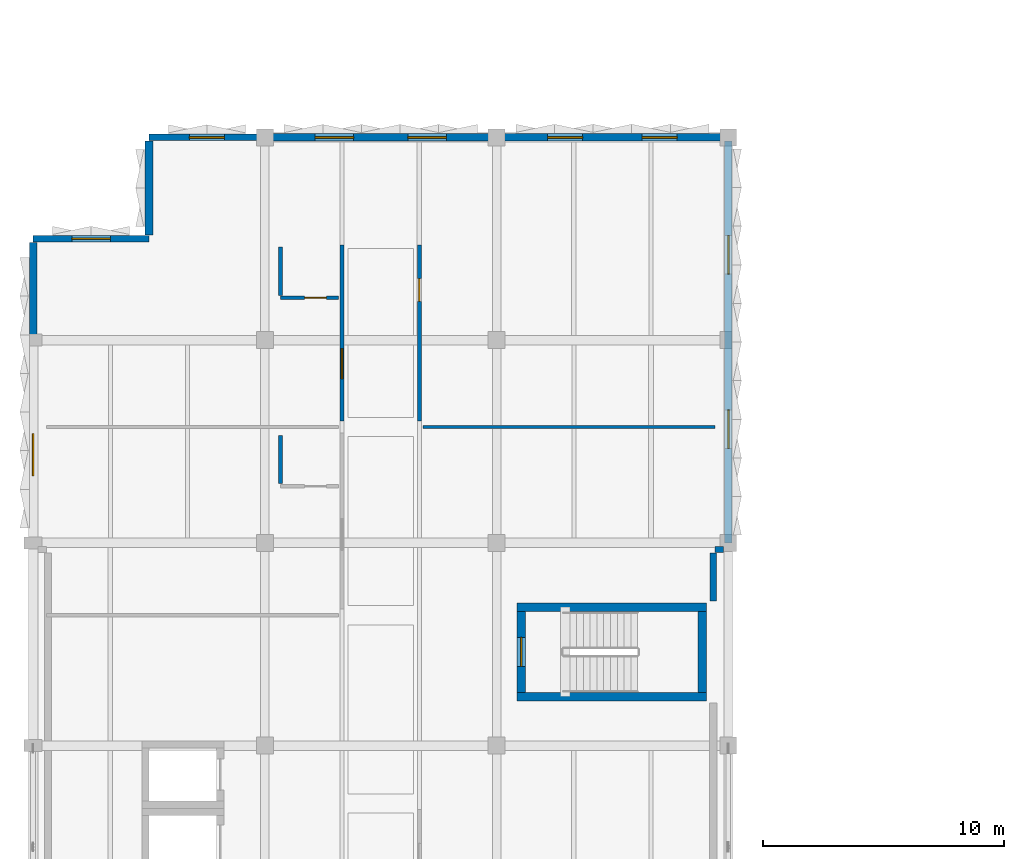
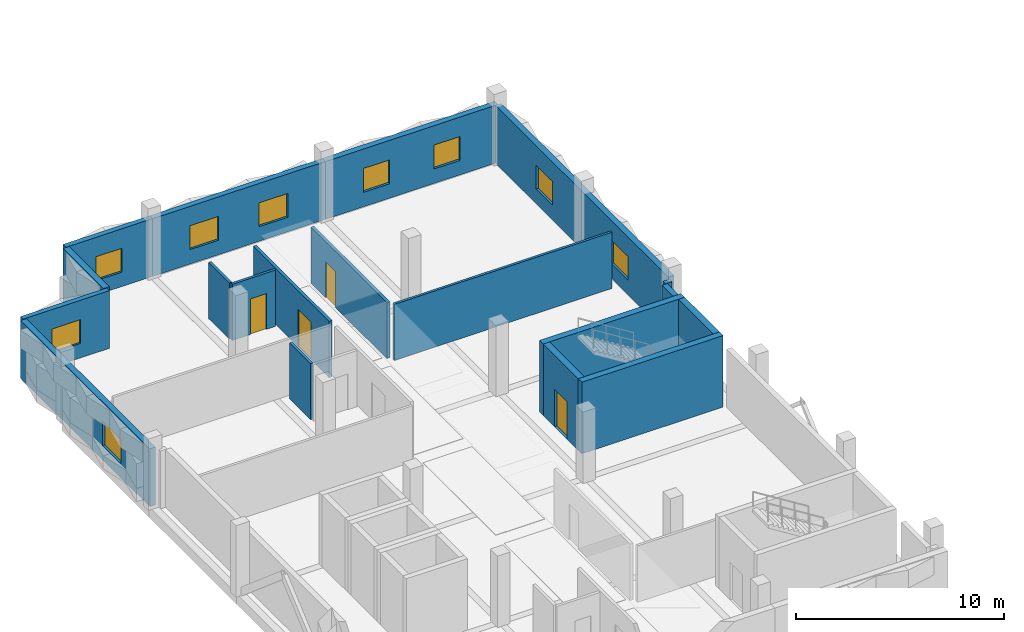
# One storey, part 13 of 24: 19 walls, 9 windows, 4 doors, 13 openings.
"""IFC4 building model written with IfcOpenShell, lengths in metres."""

import ifcopenshell
import ifcopenshell.guid

model = None  # the IFC model being written
_history = None  # IfcOwnerHistory: only IFC2X3 demands one
_inside = {}  # id of a spatial element -> (the spatial element, [elements in it])
_under = {}  # id of a project, library or spatial element -> (it, [spatial elements below it])
_declared = {}  # id of a project -> (the project, [libraries it declares])
_typed = {}  # id of a type object -> (the type object, [elements of that type])
_made_of = {}  # id of a material, layer set ... -> (it, [elements and type objects made of it])


def new_model(schema):
    """Start an empty IFC model of exactly this schema.

    Asked for "IFC4X3", IfcOpenShell would pick the latest addendum, in which some entities
    have other attributes; the version numbers below select the first issue.
    IFC2X3 requires an IfcOwnerHistory on every rooted entity: one is made here for all.
    """
    global model, _history
    if schema == "IFC4X3":
        model = ifcopenshell.file(schema_version=(4, 3, 0, 0))
    else:
        model = ifcopenshell.file(schema=schema)
    _inside.clear()
    _under.clear()
    _declared.clear()
    _typed.clear()
    _made_of.clear()
    _history = None
    if model.schema == "IFC2X3":
        org = make("IfcOrganization", Name="unknown")
        user = make(
            "IfcPersonAndOrganization",
            ThePerson=make("IfcPerson", FamilyName="unknown"),
            TheOrganization=org,
        )
        app = make(
            "IfcApplication",
            ApplicationDeveloper=org,
            Version="unknown",
            ApplicationFullName="unknown",
            ApplicationIdentifier="unknown",
        )
        _history = make(
            "IfcOwnerHistory",
            OwningUser=user,
            OwningApplication=app,
            ChangeAction="ADDED",
            CreationDate=0,
        )
    return model


def make(cls, **values):
    """One entity of the class cls with the attributes given. An attribute that is None is left unset."""
    return model.create_entity(
        cls, **{name: value for name, value in values.items() if value is not None}
    )


def rooted(cls, **values):
    """An entity with a GlobalId (a new one), such as an element, a storey or a relation."""
    return make(cls, GlobalId=ifcopenshell.guid.new(), OwnerHistory=_history, **values)


def si_unit(unit_type, name, prefix=None):
    """IfcSIUnit, for example si_unit("LENGTHUNIT", "METRE", prefix="MILLI")."""
    return make("IfcSIUnit", UnitType=unit_type, Prefix=prefix, Name=name)


def assignment(units):
    """IfcUnitAssignment: the units of a project."""
    return None if units is None else make("IfcUnitAssignment", Units=units)


def point(xyz):
    """IfcCartesianPoint."""
    return None if xyz is None else make("IfcCartesianPoint", Coordinates=xyz)


def direction(xyz):
    """IfcDirection."""
    return None if xyz is None else make("IfcDirection", DirectionRatios=xyz)


def frame(location, z_axis=None, x_axis=None):
    """IfcAxis2Placement3D, a coordinate frame: its origin and axes. An axis left out is left unset."""
    return make(
        "IfcAxis2Placement3D",
        Location=point(location),
        Axis=direction(z_axis),
        RefDirection=direction(x_axis),
    )


def frame_2d(location, x_axis=None):
    """IfcAxis2Placement2D, a coordinate frame in the plane: its origin and x axis."""
    return make(
        "IfcAxis2Placement2D", Location=point(location), RefDirection=direction(x_axis)
    )


def origin():
    """The frame at (0, 0, 0) with its axes left unset."""
    return frame((0.0, 0.0, 0.0))


def place(relative_to, where):
    """IfcLocalPlacement: puts the frame where relative to a parent placement (None: the world)."""
    return make(
        "IfcLocalPlacement", PlacementRelTo=relative_to, RelativePlacement=where
    )


def context(
    kind, dimensions, precision=None, world=None, true_north=None, identifier=None
):
    """IfcGeometricRepresentationContext, for example the 3D "Model" context."""
    return make(
        "IfcGeometricRepresentationContext",
        ContextIdentifier=identifier,
        ContextType=kind,
        CoordinateSpaceDimension=dimensions,
        Precision=precision,
        WorldCoordinateSystem=world,
        TrueNorth=true_north,
    )


def subcontext(parent, identifier, kind, view, scale=None):
    """IfcGeometricRepresentationSubContext, for example "Body" below "Model"."""
    return make(
        "IfcGeometricRepresentationSubContext",
        ContextIdentifier=identifier,
        ContextType=kind,
        ParentContext=parent,
        TargetScale=scale,
        TargetView=view,
    )


def project(units=None, contexts=None):
    """IfcProject with its units and contexts."""
    return rooted(
        "IfcProject",
        Name="project",
        RepresentationContexts=contexts,
        UnitsInContext=assignment(units),
    )


def spatial(cls, under=None, at=None, **own):
    """A site, building, storey or space (cls), placed at a placement, below another one or the project."""
    s = rooted(cls, ObjectPlacement=at, **own)
    if under is not None:
        _under.setdefault(under.id(), (under, []))[1].append(s)
    return s


def profile(cls, at=None, kind="AREA", **sizes):
    """A parametric profile (cls). Its sizes go by their IFC names, for example OverallWidth=200.0."""
    return make(cls, ProfileType=kind, Position=at, **sizes)


def rectangle(**sizes):
    """IfcRectangleProfileDef."""
    return profile("IfcRectangleProfileDef", **sizes)


def extrude(swept, where, along, depth):
    """IfcExtrudedAreaSolid: the profile swept, set in the frame where, extruded along a direction by depth."""
    return make(
        "IfcExtrudedAreaSolid",
        SweptArea=swept,
        Position=where,
        ExtrudedDirection=direction(along),
        Depth=depth,
    )


def shape(context_of_items, identifier, shape_type, items):
    """IfcShapeRepresentation: the items that make up one representation, for example the "Body"."""
    return make(
        "IfcShapeRepresentation",
        ContextOfItems=context_of_items,
        RepresentationIdentifier=identifier,
        RepresentationType=shape_type,
        Items=items,
    )


def material(Name=None, Category=None):
    """IfcMaterial."""
    return make("IfcMaterial", Name=Name, Category=Category)


def layer(
    of_material, thickness, ventilated=None, Name=None, Category=None, Priority=None
):
    """IfcMaterialLayer: one layer of a wall or slab, of a material (None: an air gap)."""
    return make(
        "IfcMaterialLayer",
        Material=of_material,
        LayerThickness=thickness,
        IsVentilated=ventilated,
        Name=Name,
        Category=Category,
        Priority=Priority,
    )


def layer_set(layers, Name=None):
    """IfcMaterialLayerSet."""
    return make("IfcMaterialLayerSet", MaterialLayers=layers, LayerSetName=Name)


def made_of(thing, what):
    """Note that an element or type object is made of a material, layer set ...; save() writes the relation."""
    if what is not None:
        _made_of.setdefault(what.id(), (what, []))[1].append(thing)
    return thing


def type_object(cls, material=None, **own):
    """A type object (cls), such as IfcWallType, which elements share."""
    return made_of(rooted(cls, **own), material)


def element(
    cls,
    number,
    at=None,
    inside=None,
    cuts=None,
    type_object=None,
    material=None,
    context=None,
    identifier="Body",
    shape_type=None,
    held_by="IfcProductDefinitionShape",
    body=None,
    shapes=None,
    **own,
):
    """One element of the class cls, such as IfcWall. Its Tag is "e" and its number.

    at: its placement. inside: the storey or other place that contains it. cuts: it is an
    opening in that element (IfcRelVoidsElement). A single representation is given by context,
    identifier, shape_type and body (its items); several are given by shapes. held_by: the class
    of the entity that holds the representations. save() writes the other relations.
    """
    e = rooted(cls, Tag="e%d" % number, ObjectPlacement=at, **own)
    if body is not None:
        shapes = [shape(context, identifier, shape_type, body)]
    if shapes is not None:
        e.Representation = make(held_by, Representations=shapes)
    if inside is not None:
        _inside.setdefault(inside.id(), (inside, []))[1].append(e)
    if cuts is not None:
        rooted(
            "IfcRelVoidsElement", RelatingBuildingElement=cuts, RelatedOpeningElement=e
        )
    if type_object is not None:
        _typed.setdefault(type_object.id(), (type_object, []))[1].append(e)
    return made_of(e, material)


def fill(opening, filler):
    """IfcRelFillsElement: the door or window that sits in an opening."""
    return rooted(
        "IfcRelFillsElement",
        RelatingOpeningElement=opening,
        RelatedBuildingElement=filler,
    )


def aggregate(whole, parts):
    """IfcRelAggregates: a whole, such as a stair, and the parts it consists of."""
    return rooted("IfcRelAggregates", RelatingObject=whole, RelatedObjects=parts)


def save(model, path):
    """Write the relations noted so far, then the file.

    IfcRelAggregates (storeys below a building ...), IfcRelContainedInSpatialStructure (elements
    in a storey), IfcRelDefinesByType, IfcRelAssociatesMaterial and IfcRelDeclares: one each for
    every whole, place, type object, material and project.
    """
    for whole, parts in _under.values():
        aggregate(whole, parts)
    for where, things in _inside.values():
        rooted(
            "IfcRelContainedInSpatialStructure",
            RelatedElements=things,
            RelatingStructure=where,
        )
    for kind, things in _typed.values():
        rooted("IfcRelDefinesByType", RelatedObjects=things, RelatingType=kind)
    for what, things in _made_of.values():
        rooted("IfcRelAssociatesMaterial", RelatedObjects=things, RelatingMaterial=what)
    for by, libraries in _declared.values():
        rooted("IfcRelDeclares", RelatingContext=by, RelatedDefinitions=libraries)
    model.write(path)


model = new_model("IFC4")

# Units and contexts
model_context = context("Model", 3, precision=1e-05, world=origin(), true_north=direction((0.0, 1.0)))
body_context = subcontext(model_context, "Body", "Model", "MODEL_VIEW")
ifc_project = project(units=[si_unit("LENGTHUNIT", "METRE"), si_unit("AREAUNIT", "SQUARE_METRE"), si_unit("VOLUMEUNIT", "CUBIC_METRE"), si_unit("PLANEANGLEUNIT", "RADIAN"), si_unit("MASSUNIT", "GRAM", prefix="KILO")], contexts=[model_context])

# Site, building, storey
site_placement = place(None, origin())
site = spatial("IfcSite", under=ifc_project, at=site_placement, CompositionType="ELEMENT")
building_placement = place(site_placement, origin())
building = spatial("IfcBuilding", under=site, at=building_placement, Name="Oolite Switchyard Hospital", CompositionType="ELEMENT")
storey_placement = place(building_placement, frame((0.0, 0.0, 22.0)))
storey = spatial("IfcBuildingStorey", under=building, at=storey_placement, Name="L05", CompositionType="ELEMENT", Elevation=22.0)

# Wall, opening, window
ifc_material_1 = material(Name="Precast oolitic limestone architectural concrete C40/50", Category="masonry")
ifc_layer_1 = layer(ifc_material_1, 0.260009765625)
ifc_layer_set_1 = layer_set([ifc_layer_1], Name="WAL-EXT-260")
wall_type_1 = type_object("IfcWallType", Name="WAL-EXT-260", PredefinedType="SOLIDWALL", material=ifc_layer_set_1)
wall_1_placement = place(storey_placement, frame((0.0, 79.800048828125, 0.0), z_axis=(0.0, 0.0, 1.0), x_axis=(1.0, 0.0, 0.0)))
wall_1 = element("IfcWall", 1, at=wall_1_placement, inside=storey, type_object=wall_type_1, Name="L05 Exterior Spandrel Wall 310", PredefinedType="SOLIDWALL", context=body_context, shape_type="SweptSolid", body=[
    extrude(rectangle(XDim=4.800048828125, YDim=0.260009765625, at=frame_2d((2.39990234375, 0.0))), origin(), (0.0, 0.0, 1.0), 3.389892578125),
])
opening_1_placement = place(wall_1_placement, frame((1.60009765625, 0.0, 0.85009765625)))
opening_1 = element("IfcOpeningElement", 2, at=opening_1_placement, cuts=wall_1, Name="Opening WN-0190", PredefinedType="OPENING", context=body_context, shape_type="SweptSolid", body=[
    extrude(rectangle(XDim=1.60009765625, YDim=1.39990234375, at=frame_2d((0.800048828125, 0.699951171875))), frame((0.0, 0.14013671875, 0.0), z_axis=(0.0, -1.0, 0.0), x_axis=(1.0, 0.0, 0.0)), (0.0, 0.0, 1.0), 0.280029296875),
])
ifc_material_2 = material(Name="Thermally broken aluminum frame with laminated impact glazing", Category="aluminium")
window_type_1 = type_object("IfcWindowType", Name="WIN-IMP-160X140", PartitioningType="SINGLE_PANEL", PredefinedType="WINDOW", material=ifc_material_2)
window_1_placement = place(opening_1_placement, origin())
window_1 = element("IfcWindow", 3, at=window_1_placement, inside=storey, type_object=window_type_1, Name="L05 Hurricane Impact Window WN-0190", OverallHeight=1.39990234375, OverallWidth=1.60009765625, PartitioningType="SINGLE_PANEL", PredefinedType="WINDOW", context=body_context, shape_type="SweptSolid", body=[
    extrude(rectangle(XDim=1.60009765625, YDim=1.39990234375, at=frame_2d((0.800048828125, 0.699951171875))), frame((0.0, 0.030029296875, 0.0), z_axis=(0.0, -1.0, 0.0), x_axis=(1.0, 0.0, 0.0)), (0.0, 0.0, 1.0), 0.06005859375),
])
fill(opening_1, window_1)

# Wall
wall_2_placement = place(storey_placement, frame((28.60009765625, 66.919921875, 0.0), z_axis=(0.0, 0.0, 1.0), x_axis=(-1.0, 0.0, 0.0)))
element("IfcWall", 4, at=wall_2_placement, inside=storey, type_object=wall_type_1, Name="L05 Brace Alcove Cheek Wall 336", PredefinedType="SOLIDWALL", context=body_context, shape_type="SweptSolid", body=[
    extrude(rectangle(XDim=0.360107421875, YDim=0.260009765625, at=frame_2d((0.18017578125, 0.0))), origin(), (0.0, 0.0, 1.0), 3.389892578125),
])

# Wall, opening, window
ifc_layer_2 = layer(ifc_material_1, 0.280029296875)
ifc_layer_set_2 = layer_set([ifc_layer_2], Name="WAL-EXT-280")
wall_type_2 = type_object("IfcWallType", Name="WAL-EXT-280", PredefinedType="SOLIDWALL", material=ifc_layer_set_2)
wall_3_placement = place(storey_placement, frame((4.800048828125, 84.0, 0.0), z_axis=(0.0, 0.0, 1.0), x_axis=(1.0, 0.0, 0.0)))
wall_3 = element("IfcWall", 5, at=wall_3_placement, inside=storey, type_object=wall_type_2, Name="L05 Exterior Spandrel Wall 311", PredefinedType="SOLIDWALL", context=body_context, shape_type="SweptSolid", body=[
    extrude(rectangle(XDim=4.800048828125, YDim=0.280029296875, at=frame_2d((2.39990234375, 0.0))), origin(), (0.0, 0.0, 1.0), 3.389892578125),
])
opening_2_placement = place(wall_3_placement, frame((1.675048828125, 0.0, 0.85009765625)))
opening_2 = element("IfcOpeningElement", 6, at=opening_2_placement, cuts=wall_3, Name="Opening WN-0191", PredefinedType="OPENING", context=body_context, shape_type="SweptSolid", body=[
    extrude(rectangle(XDim=1.449951171875, YDim=1.39990234375, at=frame_2d((0.72509765625, 0.699951171875))), frame((0.0, 0.14990234375, 0.0), z_axis=(0.0, -1.0, 0.0), x_axis=(1.0, 0.0, 0.0)), (0.0, 0.0, 1.0), 0.300048828125),
])
window_type_2 = type_object("IfcWindowType", Name="WIN-IMP-145X140", PartitioningType="SINGLE_PANEL", PredefinedType="WINDOW", material=ifc_material_2)
window_2_placement = place(opening_2_placement, origin())
window_2 = element("IfcWindow", 7, at=window_2_placement, inside=storey, type_object=window_type_2, Name="L05 Hurricane Impact Window WN-0191", OverallHeight=1.39990234375, OverallWidth=1.449951171875, PartitioningType="SINGLE_PANEL", PredefinedType="WINDOW", context=body_context, shape_type="SweptSolid", body=[
    extrude(rectangle(XDim=1.449951171875, YDim=1.39990234375, at=frame_2d((0.72509765625, 0.699951171875))), frame((0.0, 0.030029296875, 0.0), z_axis=(0.0, -1.0, 0.0), x_axis=(1.0, 0.0, 0.0)), (0.0, 0.0, 1.0), 0.06005859375),
])
fill(opening_2, window_2)

# Wall
wall_4_placement = place(storey_placement, frame((28.179931640625, 66.780029296875, 0.0), z_axis=(0.0, 0.0, 1.0), x_axis=(0.0, -1.0, 0.0)))
element("IfcWall", 8, at=wall_4_placement, inside=storey, type_object=wall_type_2, Name="L05 Exterior Spandrel Wall 339", PredefinedType="SOLIDWALL", context=body_context, shape_type="SweptSolid", body=[
    extrude(rectangle(XDim=1.9951171875, YDim=0.280029296875, at=frame_2d((0.99755859375, 0.0))), origin(), (0.0, 0.0, 1.0), 3.389892578125),
])

# Wall, openings, windows
ifc_layer_3 = layer(ifc_material_1, 0.300048828125)
ifc_layer_set_3 = layer_set([ifc_layer_3], Name="WAL-EXT-300")
wall_type_3 = type_object("IfcWallType", Name="WAL-EXT-300", PredefinedType="SOLIDWALL", material=ifc_layer_set_3)
wall_5_placement = place(storey_placement, frame((9.60009765625, 84.0, 0.0), z_axis=(0.0, 0.0, 1.0), x_axis=(1.0, 0.0, 0.0)))
wall_5 = element("IfcWall", 9, at=wall_5_placement, inside=storey, type_object=wall_type_3, Name="L05 Exterior Spandrel Wall 312", PredefinedType="SOLIDWALL", context=body_context, shape_type="SweptSolid", body=[
    extrude(rectangle(XDim=9.599853515625, YDim=0.300048828125, at=frame_2d((4.7998046875, 0.0))), origin(), (0.0, 0.0, 1.0), 3.389892578125),
])
opening_3_placement = place(wall_5_placement, frame((2.080078125, 0.0, 0.85009765625)))
opening_3 = element("IfcOpeningElement", 10, at=opening_3_placement, cuts=wall_5, Name="Opening WN-0192", PredefinedType="OPENING", context=body_context, shape_type="SweptSolid", body=[
    extrude(rectangle(XDim=1.60009765625, YDim=1.39990234375, at=frame_2d((0.800048828125, 0.699951171875))), frame((0.0, 0.16015625, 0.0), z_axis=(0.0, -1.0, 0.0), x_axis=(1.0, 0.0, 0.0)), (0.0, 0.0, 1.0), 0.320068359375),
])
opening_4_placement = place(wall_5_placement, frame((5.919921875, 0.0, 0.85009765625)))
opening_4 = element("IfcOpeningElement", 11, at=opening_4_placement, cuts=wall_5, Name="Opening WN-0193", PredefinedType="OPENING", context=body_context, shape_type="SweptSolid", body=[
    extrude(rectangle(XDim=1.60009765625, YDim=1.39990234375, at=frame_2d((0.800048828125, 0.699951171875))), frame((0.0, 0.16015625, 0.0), z_axis=(0.0, -1.0, 0.0), x_axis=(1.0, 0.0, 0.0)), (0.0, 0.0, 1.0), 0.320068359375),
])
window_3_placement = place(opening_3_placement, origin())
window_3 = element("IfcWindow", 12, at=window_3_placement, inside=storey, type_object=window_type_1, Name="L05 Hurricane Impact Window WN-0192", OverallHeight=1.39990234375, OverallWidth=1.60009765625, PartitioningType="SINGLE_PANEL", PredefinedType="WINDOW", context=body_context, shape_type="SweptSolid", body=[
    extrude(rectangle(XDim=1.60009765625, YDim=1.39990234375, at=frame_2d((0.800048828125, 0.699951171875))), frame((0.0, 0.030029296875, 0.0), z_axis=(0.0, -1.0, 0.0), x_axis=(1.0, 0.0, 0.0)), (0.0, 0.0, 1.0), 0.06005859375),
])
fill(opening_3, window_3)
window_4_placement = place(opening_4_placement, origin())
window_4 = element("IfcWindow", 13, at=window_4_placement, inside=storey, type_object=window_type_1, Name="L05 Hurricane Impact Window WN-0193", OverallHeight=1.39990234375, OverallWidth=1.60009765625, PartitioningType="SINGLE_PANEL", PredefinedType="WINDOW", context=body_context, shape_type="SweptSolid", body=[
    extrude(rectangle(XDim=1.60009765625, YDim=1.39990234375, at=frame_2d((0.800048828125, 0.699951171875))), frame((0.0, 0.030029296875, 0.0), z_axis=(0.0, -1.0, 0.0), x_axis=(1.0, 0.0, 0.0)), (0.0, 0.0, 1.0), 0.06005859375),
])
fill(opening_4, window_4)

ifc_layer_4 = layer(ifc_material_1, 0.320068359375)
ifc_layer_set_4 = layer_set([ifc_layer_4], Name="WAL-EXT-320")
wall_type_4 = type_object("IfcWallType", Name="WAL-EXT-320", PredefinedType="SOLIDWALL", material=ifc_layer_set_4)
wall_6_placement = place(storey_placement, frame((19.199951171875, 84.0, 0.0), z_axis=(0.0, 0.0, 1.0), x_axis=(1.0, 0.0, 0.0)))
wall_6 = element("IfcWall", 14, at=wall_6_placement, inside=storey, type_object=wall_type_4, Name="L05 Exterior Spandrel Wall 313", PredefinedType="SOLIDWALL", context=body_context, shape_type="SweptSolid", body=[
    extrude(rectangle(XDim=9.60009765625, YDim=0.320068359375, at=frame_2d((4.800048828125, 0.0))), origin(), (0.0, 0.0, 1.0), 3.389892578125),
])
opening_5_placement = place(wall_6_placement, frame((2.118896484375, 0.0, 0.85009765625)))
opening_5 = element("IfcOpeningElement", 15, at=opening_5_placement, cuts=wall_6, Name="Opening WN-0194", PredefinedType="OPENING", context=body_context, shape_type="SweptSolid", body=[
    extrude(rectangle(XDim=1.449951171875, YDim=1.39990234375, at=frame_2d((0.72509765625, 0.699951171875))), frame((0.0, 0.169921875, 0.0), z_axis=(0.0, -1.0, 0.0), x_axis=(1.0, 0.0, 0.0)), (0.0, 0.0, 1.0), 0.340087890625),
])
opening_6_placement = place(wall_6_placement, frame((6.031005859375, 0.0, 0.85009765625)))
opening_6 = element("IfcOpeningElement", 16, at=opening_6_placement, cuts=wall_6, Name="Opening WN-0195", PredefinedType="OPENING", context=body_context, shape_type="SweptSolid", body=[
    extrude(rectangle(XDim=1.449951171875, YDim=1.39990234375, at=frame_2d((0.72509765625, 0.699951171875))), frame((0.0, 0.169921875, 0.0), z_axis=(0.0, -1.0, 0.0), x_axis=(1.0, 0.0, 0.0)), (0.0, 0.0, 1.0), 0.340087890625),
])
window_5_placement = place(opening_5_placement, origin())
window_5 = element("IfcWindow", 17, at=window_5_placement, inside=storey, type_object=window_type_2, Name="L05 Hurricane Impact Window WN-0194", OverallHeight=1.39990234375, OverallWidth=1.449951171875, PartitioningType="SINGLE_PANEL", PredefinedType="WINDOW", context=body_context, shape_type="SweptSolid", body=[
    extrude(rectangle(XDim=1.449951171875, YDim=1.39990234375, at=frame_2d((0.72509765625, 0.699951171875))), frame((0.0, 0.030029296875, 0.0), z_axis=(0.0, -1.0, 0.0), x_axis=(1.0, 0.0, 0.0)), (0.0, 0.0, 1.0), 0.06005859375),
])
fill(opening_5, window_5)
window_6_placement = place(opening_6_placement, origin())
window_6 = element("IfcWindow", 18, at=window_6_placement, inside=storey, type_object=window_type_2, Name="L05 Hurricane Impact Window WN-0195", OverallHeight=1.39990234375, OverallWidth=1.449951171875, PartitioningType="SINGLE_PANEL", PredefinedType="WINDOW", context=body_context, shape_type="SweptSolid", body=[
    extrude(rectangle(XDim=1.449951171875, YDim=1.39990234375, at=frame_2d((0.72509765625, 0.699951171875))), frame((0.0, 0.030029296875, 0.0), z_axis=(0.0, -1.0, 0.0), x_axis=(1.0, 0.0, 0.0)), (0.0, 0.0, 1.0), 0.06005859375),
])
fill(opening_6, window_6)

# Wall, opening, window
wall_7_placement = place(storey_placement, frame((0.0, 67.199951171875, 0.0), z_axis=(0.0, 0.0, 1.0), x_axis=(0.0, 1.0, 0.0)))
wall_7 = element("IfcWall", 19, at=wall_7_placement, inside=storey, type_object=wall_type_4, Name="L05 Exterior Spandrel Wall 334", PredefinedType="SOLIDWALL", context=body_context, shape_type="SweptSolid", body=[
    extrude(rectangle(XDim=12.43994140625, YDim=0.320068359375, at=frame_2d((6.219970703125, 0.0))), origin(), (0.0, 0.0, 1.0), 3.389892578125),
])
opening_7_placement = place(wall_7_placement, frame((2.779052734375, 0.0, 0.85009765625)))
opening_7 = element("IfcOpeningElement", 20, at=opening_7_placement, cuts=wall_7, Name="Opening WN-0214", PredefinedType="OPENING", context=body_context, shape_type="SweptSolid", body=[
    extrude(rectangle(XDim=1.75, YDim=1.39990234375, at=frame_2d((0.875, 0.699951171875))), frame((0.0, 0.169921875, 0.0), z_axis=(0.0, -1.0, 0.0), x_axis=(1.0, 0.0, 0.0)), (0.0, 0.0, 1.0), 0.340087890625),
])
window_type_3 = type_object("IfcWindowType", Name="WIN-IMP-175X140", PartitioningType="SINGLE_PANEL", PredefinedType="WINDOW", material=ifc_material_2)
window_7_placement = place(opening_7_placement, origin())
window_7 = element("IfcWindow", 21, at=window_7_placement, inside=storey, type_object=window_type_3, Name="L05 Hurricane Impact Window WN-0214", OverallHeight=1.39990234375, OverallWidth=1.75, PartitioningType="SINGLE_PANEL", PredefinedType="WINDOW", context=body_context, shape_type="SweptSolid", body=[
    extrude(rectangle(XDim=1.75, YDim=1.39990234375, at=frame_2d((0.875, 0.699951171875))), frame((0.0, 0.030029296875, 0.0), z_axis=(0.0, -1.0, 0.0), x_axis=(1.0, 0.0, 0.0)), (0.0, 0.0, 1.0), 0.06005859375),
])
fill(opening_7, window_7)

# Wall, openings, windows
wall_8_placement = place(storey_placement, frame((28.800048828125, 83.840087890625, 0.0), z_axis=(0.0, 0.0, 1.0), x_axis=(0.0, -1.0, 0.0)))
wall_8 = element("IfcWall", 22, at=wall_8_placement, inside=storey, type_object=wall_type_4, Name="L05 Exterior Spandrel Wall 341", PredefinedType="SOLIDWALL", context=body_context, shape_type="SweptSolid", body=[
    extrude(rectangle(XDim=16.64013671875, YDim=0.320068359375, at=frame_2d((8.320068359375, 0.0))), origin(), (0.0, 0.0, 1.0), 3.389892578125),
])
opening_8_placement = place(wall_8_placement, frame((3.909912109375, 0.0, 0.85009765625)))
opening_8 = element("IfcOpeningElement", 23, at=opening_8_placement, cuts=wall_8, Name="Opening WN-0215", PredefinedType="OPENING", context=body_context, shape_type="SweptSolid", body=[
    extrude(rectangle(XDim=1.60009765625, YDim=1.39990234375, at=frame_2d((0.800048828125, 0.699951171875))), frame((0.0, 0.169921875, 0.0), z_axis=(0.0, -1.0, 0.0), x_axis=(1.0, 0.0, 0.0)), (0.0, 0.0, 1.0), 0.340087890625),
])
opening_9_placement = place(wall_8_placement, frame((11.1298828125, 0.0, 0.85009765625)))
opening_9 = element("IfcOpeningElement", 24, at=opening_9_placement, cuts=wall_8, Name="Opening WN-0216", PredefinedType="OPENING", context=body_context, shape_type="SweptSolid", body=[
    extrude(rectangle(XDim=1.60009765625, YDim=1.39990234375, at=frame_2d((0.800048828125, 0.699951171875))), frame((0.0, 0.169921875, 0.0), z_axis=(0.0, -1.0, 0.0), x_axis=(1.0, 0.0, 0.0)), (0.0, 0.0, 1.0), 0.340087890625),
])
window_8_placement = place(opening_8_placement, origin())
window_8 = element("IfcWindow", 25, at=window_8_placement, inside=storey, type_object=window_type_1, Name="L05 Hurricane Impact Window WN-0215", OverallHeight=1.39990234375, OverallWidth=1.60009765625, PartitioningType="SINGLE_PANEL", PredefinedType="WINDOW", context=body_context, shape_type="SweptSolid", body=[
    extrude(rectangle(XDim=1.60009765625, YDim=1.39990234375, at=frame_2d((0.800048828125, 0.699951171875))), frame((0.0, 0.030029296875, 0.0), z_axis=(0.0, -1.0, 0.0), x_axis=(1.0, 0.0, 0.0)), (0.0, 0.0, 1.0), 0.06005859375),
])
fill(opening_8, window_8)
window_9_placement = place(opening_9_placement, origin())
window_9 = element("IfcWindow", 26, at=window_9_placement, inside=storey, type_object=window_type_1, Name="L05 Hurricane Impact Window WN-0216", OverallHeight=1.39990234375, OverallWidth=1.60009765625, PartitioningType="SINGLE_PANEL", PredefinedType="WINDOW", context=body_context, shape_type="SweptSolid", body=[
    extrude(rectangle(XDim=1.60009765625, YDim=1.39990234375, at=frame_2d((0.800048828125, 0.699951171875))), frame((0.0, 0.030029296875, 0.0), z_axis=(0.0, -1.0, 0.0), x_axis=(1.0, 0.0, 0.0)), (0.0, 0.0, 1.0), 0.06005859375),
])
fill(opening_9, window_9)

# Walls
ifc_layer_5 = layer(ifc_material_1, 0.340087890625)
ifc_layer_set_5 = layer_set([ifc_layer_5], Name="WAL-EXT-340")
wall_type_5 = type_object("IfcWallType", Name="WAL-EXT-340", PredefinedType="SOLIDWALL", material=ifc_layer_set_5)
wall_9_placement = place(storey_placement, frame((4.800048828125, 79.9599609375, 0.0), z_axis=(0.0, 0.0, 1.0), x_axis=(0.0, 1.0, 0.0)))
element("IfcWall", 27, at=wall_9_placement, inside=storey, type_object=wall_type_5, Name="L05 Exterior Spandrel Wall 335", PredefinedType="SOLIDWALL", context=body_context, shape_type="SweptSolid", body=[
    extrude(rectangle(XDim=3.880126953125, YDim=0.340087890625, at=frame_2d((1.93994140625, 0.0))), origin(), (0.0, 0.0, 1.0), 3.389892578125),
])
ifc_material_3 = material(Name="Moisture-resistant gypsum board on steel studs", Category="steel")
ifc_layer_6 = layer(ifc_material_3, 0.135009765625)
ifc_layer_set_6 = layer_set([ifc_layer_6], Name="WAL-PART-135")
wall_type_6 = type_object("IfcWallType", Name="WAL-PART-135", PredefinedType="PARTITIONING", material=ifc_layer_set_6)
wall_10_placement = place(storey_placement, frame((16.14990234375, 72.0, 0.0), z_axis=(0.0, 0.0, 1.0), x_axis=(1.0, 0.0, 0.0)))
element("IfcWall", 28, at=wall_10_placement, inside=storey, type_object=wall_type_6, Name="L05 Interior Partition 843", PredefinedType="PARTITIONING", context=body_context, shape_type="SweptSolid", body=[
    extrude(rectangle(XDim=12.10009765625, YDim=0.135009765625, at=frame_2d((6.050048828125, 0.0))), origin(), (0.0, 0.0, 1.0), 3.300048828125),
])
ifc_layer_7 = layer(ifc_material_3, 0.14990234375)
ifc_layer_set_7 = layer_set([ifc_layer_7], Name="WAL-PART-150")
wall_type_7 = type_object("IfcWallType", Name="WAL-PART-150", PredefinedType="PARTITIONING", material=ifc_layer_set_7)
wall_11_placement = place(storey_placement, frame((10.25, 69.64990234375, 0.0), z_axis=(0.0, 0.0, 1.0), x_axis=(0.0, 1.0, 0.0)))
element("IfcWall", 29, at=wall_11_placement, inside=storey, type_object=wall_type_7, Name="L05 Interior Partition 836", PredefinedType="PARTITIONING", context=body_context, shape_type="SweptSolid", body=[
    extrude(rectangle(XDim=2.0, YDim=0.14990234375, at=frame_2d((1.0, 0.0))), origin(), (0.0, 0.0, 1.0), 3.300048828125),
])

# Wall, opening, door
wall_12_placement = place(storey_placement, frame((10.25, 77.35009765625, 0.0), z_axis=(0.0, 0.0, 1.0), x_axis=(1.0, 0.0, 0.0)))
wall_12 = element("IfcWall", 30, at=wall_12_placement, inside=storey, type_object=wall_type_7, Name="L05 Interior Partition 839", PredefinedType="PARTITIONING", context=body_context, shape_type="SweptSolid", body=[
    extrude(rectangle(XDim=2.39990234375, YDim=0.14990234375, at=frame_2d((1.199951171875, 0.0))), origin(), (0.0, 0.0, 1.0), 3.300048828125),
])
opening_10_placement = place(wall_12_placement, frame((1.0, 0.0, 0.0)))
opening_10 = element("IfcOpeningElement", 31, at=opening_10_placement, cuts=wall_12, Name="Opening D-0466", PredefinedType="OPENING", context=body_context, shape_type="SweptSolid", body=[
    extrude(rectangle(XDim=0.89990234375, YDim=2.10009765625, at=frame_2d((0.449951171875, 1.050048828125))), frame((0.0, 0.0849609375, 0.0), z_axis=(0.0, -1.0, 0.0), x_axis=(1.0, 0.0, 0.0)), (0.0, 0.0, 1.0), 0.169921875),
])
ifc_material_4 = material(Name="Solid-core antimicrobial hardwood leaf in steel frame", Category="steel")
door_type_1 = type_object("IfcDoorType", Name="DR-BATH-090X210", OperationType="NOTDEFINED", PredefinedType="DOOR", material=ifc_material_4)
door_1_placement = place(opening_10_placement, origin())
door_1 = element("IfcDoor", 32, at=door_1_placement, inside=storey, type_object=door_type_1, Name="L05 Interior Door D-0466", OperationType="SINGLE_SWING_RIGHT", OverallHeight=2.10009765625, OverallWidth=0.89990234375, PredefinedType="DOOR", context=body_context, shape_type="SweptSolid", body=[
    extrude(rectangle(XDim=0.89990234375, YDim=2.10009765625, at=frame_2d((0.449951171875, 1.050048828125))), frame((0.0, 0.02490234375, 0.0), z_axis=(0.0, -1.0, 0.0), x_axis=(1.0, 0.0, 0.0)), (0.0, 0.0, 1.0), 0.050048828125),
])
fill(opening_10, door_1)

# Wall
wall_13_placement = place(storey_placement, frame((10.25, 77.449951171875, 0.0), z_axis=(0.0, 0.0, 1.0), x_axis=(0.0, 1.0, 0.0)))
element("IfcWall", 33, at=wall_13_placement, inside=storey, type_object=wall_type_7, Name="L05 Interior Partition 840", PredefinedType="PARTITIONING", context=body_context, shape_type="SweptSolid", body=[
    extrude(rectangle(XDim=2.0, YDim=0.14990234375, at=frame_2d((1.0, 0.0))), origin(), (0.0, 0.0, 1.0), 3.300048828125),
])

# Wall, opening, door
ifc_layer_8 = layer(ifc_material_3, 0.1650390625)
ifc_layer_set_8 = layer_set([ifc_layer_8], Name="WAL-PART-165")
wall_type_8 = type_object("IfcWallType", Name="WAL-PART-165", PredefinedType="PARTITIONING", material=ifc_layer_set_8)
wall_14_placement = place(storey_placement, frame((12.800048828125, 72.25, 0.0), z_axis=(0.0, 0.0, 1.0), x_axis=(0.0, 1.0, 0.0)))
wall_14 = element("IfcWall", 34, at=wall_14_placement, inside=storey, type_object=wall_type_8, Name="L05 Interior Partition 838", PredefinedType="PARTITIONING", context=body_context, shape_type="SweptSolid", body=[
    extrude(rectangle(XDim=7.300048828125, YDim=0.1650390625, at=frame_2d((3.64990234375, 0.0))), origin(), (0.0, 0.0, 1.0), 3.300048828125),
])
opening_11_placement = place(wall_14_placement, frame((1.75, 0.0, 0.0)))
opening_11 = element("IfcOpeningElement", 35, at=opening_11_placement, cuts=wall_14, Name="Opening D-0465", PredefinedType="OPENING", context=body_context, shape_type="SweptSolid", body=[
    extrude(rectangle(XDim=1.25, YDim=2.199951171875, at=frame_2d((0.625, 1.10009765625))), frame((0.0, 0.092529296875, 0.0), z_axis=(0.0, -1.0, 0.0), x_axis=(1.0, 0.0, 0.0)), (0.0, 0.0, 1.0), 0.18505859375),
])
door_type_2 = type_object("IfcDoorType", Name="DR-WARD-125X220", OperationType="NOTDEFINED", PredefinedType="DOOR", material=ifc_material_4)
door_2_placement = place(opening_11_placement, origin())
door_2 = element("IfcDoor", 36, at=door_2_placement, inside=storey, type_object=door_type_2, Name="L05 Interior Door D-0465", OperationType="SINGLE_SWING_LEFT", OverallHeight=2.199951171875, OverallWidth=1.25, PredefinedType="DOOR", context=body_context, shape_type="SweptSolid", body=[
    extrude(rectangle(XDim=1.25, YDim=2.199951171875, at=frame_2d((0.625, 1.10009765625))), frame((0.0, 0.02490234375, 0.0), z_axis=(0.0, -1.0, 0.0), x_axis=(1.0, 0.0, 0.0)), (0.0, 0.0, 1.0), 0.050048828125),
])
fill(opening_11, door_2)

wall_15_placement = place(storey_placement, frame((16.0, 72.25, 0.0), z_axis=(0.0, 0.0, 1.0), x_axis=(0.0, 1.0, 0.0)))
wall_15 = element("IfcWall", 37, at=wall_15_placement, inside=storey, type_object=wall_type_8, Name="L05 Interior Partition 842", PredefinedType="PARTITIONING", context=body_context, shape_type="SweptSolid", body=[
    extrude(rectangle(XDim=7.300048828125, YDim=0.1650390625, at=frame_2d((3.64990234375, 0.0))), origin(), (0.0, 0.0, 1.0), 3.300048828125),
])
opening_12_placement = place(wall_15_placement, frame((4.949951171875, 0.0, 0.0)))
opening_12 = element("IfcOpeningElement", 38, at=opening_12_placement, cuts=wall_15, Name="Opening D-0467", PredefinedType="OPENING", context=body_context, shape_type="SweptSolid", body=[
    extrude(rectangle(XDim=0.949951171875, YDim=2.10009765625, at=frame_2d((0.47509765625, 1.050048828125))), frame((0.0, 0.092529296875, 0.0), z_axis=(0.0, -1.0, 0.0), x_axis=(1.0, 0.0, 0.0)), (0.0, 0.0, 1.0), 0.18505859375),
])
door_type_3 = type_object("IfcDoorType", Name="DR-BATH-095X210", OperationType="NOTDEFINED", PredefinedType="DOOR", material=ifc_material_4)
door_3_placement = place(opening_12_placement, origin())
door_3 = element("IfcDoor", 39, at=door_3_placement, inside=storey, type_object=door_type_3, Name="L05 Interior Door D-0467", OperationType="SINGLE_SWING_RIGHT", OverallHeight=2.10009765625, OverallWidth=0.949951171875, PredefinedType="DOOR", context=body_context, shape_type="SweptSolid", body=[
    extrude(rectangle(XDim=0.949951171875, YDim=2.10009765625, at=frame_2d((0.47509765625, 1.050048828125))), frame((0.0, 0.02490234375, 0.0), z_axis=(0.0, -1.0, 0.0), x_axis=(1.0, 0.0, 0.0)), (0.0, 0.0, 1.0), 0.050048828125),
])
fill(opening_12, door_3)

# Walls
ifc_material_5 = material(Name="Concrete C50/60", Category="concrete")
ifc_layer_9 = layer(ifc_material_5, 0.35009765625)
ifc_layer_set_9 = layer_set([ifc_layer_9], Name="WAL-SHR-350")
wall_type_9 = type_object("IfcWallType", Name="WAL-SHR-350", PredefinedType="SHEAR", material=ifc_layer_set_9)
wall_16_placement = place(storey_placement, frame((20.050048828125, 60.824951171875, 0.0), z_axis=(0.0, 0.0, 1.0), x_axis=(1.0, 0.0, 0.0)))
element("IfcWall", 40, at=wall_16_placement, inside=storey, type_object=wall_type_9, Name="L05 Core Shear Wall ST-02", PredefinedType="SHEAR", context=body_context, shape_type="SweptSolid", body=[
    extrude(rectangle(XDim=7.849853515625, YDim=0.35009765625, at=frame_2d((3.9248046875, 0.0))), origin(), (0.0, 0.0, 1.0), 4.199951171875),
])
wall_17_placement = place(storey_placement, frame((27.72509765625, 61.0, 0.0), z_axis=(0.0, 0.0, 1.0), x_axis=(0.0, 1.0, 0.0)))
element("IfcWall", 41, at=wall_17_placement, inside=storey, type_object=wall_type_9, Name="L05 Core Shear Wall ST-02", PredefinedType="SHEAR", context=body_context, shape_type="SweptSolid", body=[
    extrude(rectangle(XDim=3.360107421875, YDim=0.35009765625, at=frame_2d((1.68017578125, 0.0))), origin(), (0.0, 0.0, 1.0), 4.199951171875),
])
wall_18_placement = place(storey_placement, frame((27.89990234375, 64.534912109375, 0.0), z_axis=(0.0, 0.0, 1.0), x_axis=(-1.0, 0.0, 0.0)))
element("IfcWall", 42, at=wall_18_placement, inside=storey, type_object=wall_type_9, Name="L05 Core Shear Wall ST-02", PredefinedType="SHEAR", context=body_context, shape_type="SweptSolid", body=[
    extrude(rectangle(XDim=7.849853515625, YDim=0.35009765625, at=frame_2d((3.9248046875, 0.0))), origin(), (0.0, 0.0, 1.0), 4.199951171875),
])

# Wall, opening, door
wall_19_placement = place(storey_placement, frame((20.22509765625, 64.360107421875, 0.0), z_axis=(0.0, 0.0, 1.0), x_axis=(0.0, -1.0, 0.0)))
wall_19 = element("IfcWall", 43, at=wall_19_placement, inside=storey, type_object=wall_type_9, Name="L05 Core Shear Wall ST-02", PredefinedType="SHEAR", context=body_context, shape_type="SweptSolid", body=[
    extrude(rectangle(XDim=3.360107421875, YDim=0.35009765625, at=frame_2d((1.68017578125, 0.0))), origin(), (0.0, 0.0, 1.0), 4.199951171875),
])
opening_13_placement = place(wall_19_placement, frame((1.080078125, 0.0, 0.0)))
opening_13 = element("IfcOpeningElement", 44, at=opening_13_placement, cuts=wall_19, Name="Opening SD-013", PredefinedType="OPENING", context=body_context, shape_type="SweptSolid", body=[
    extrude(rectangle(XDim=1.199951171875, YDim=2.199951171875, at=frame_2d((0.60009765625, 1.10009765625))), frame((0.0, 0.18505859375, 0.0), z_axis=(0.0, -1.0, 0.0), x_axis=(1.0, 0.0, 0.0)), (0.0, 0.0, 1.0), 0.3701171875),
])
ifc_material_6 = material(Name="Hollow metal fire-rated steel door assembly", Category="steel")
door_type_4 = type_object("IfcDoorType", Name="DR-STR-120X220", OperationType="NOTDEFINED", PredefinedType="DOOR", material=ifc_material_6)
door_4_placement = place(opening_13_placement, origin())
door_4 = element("IfcDoor", 45, at=door_4_placement, inside=storey, type_object=door_type_4, Name="L05 ST-02 Exit Stair Door SD-013", OperationType="SINGLE_SWING_LEFT", OverallHeight=2.199951171875, OverallWidth=1.199951171875, PredefinedType="DOOR", context=body_context, shape_type="SweptSolid", body=[
    extrude(rectangle(XDim=1.199951171875, YDim=2.199951171875, at=frame_2d((0.60009765625, 1.10009765625))), frame((0.0, 0.02490234375, 0.0), z_axis=(0.0, -1.0, 0.0), x_axis=(1.0, 0.0, 0.0)), (0.0, 0.0, 1.0), 0.050048828125),
])
fill(opening_13, door_4)

save(model, "model.ifc")
